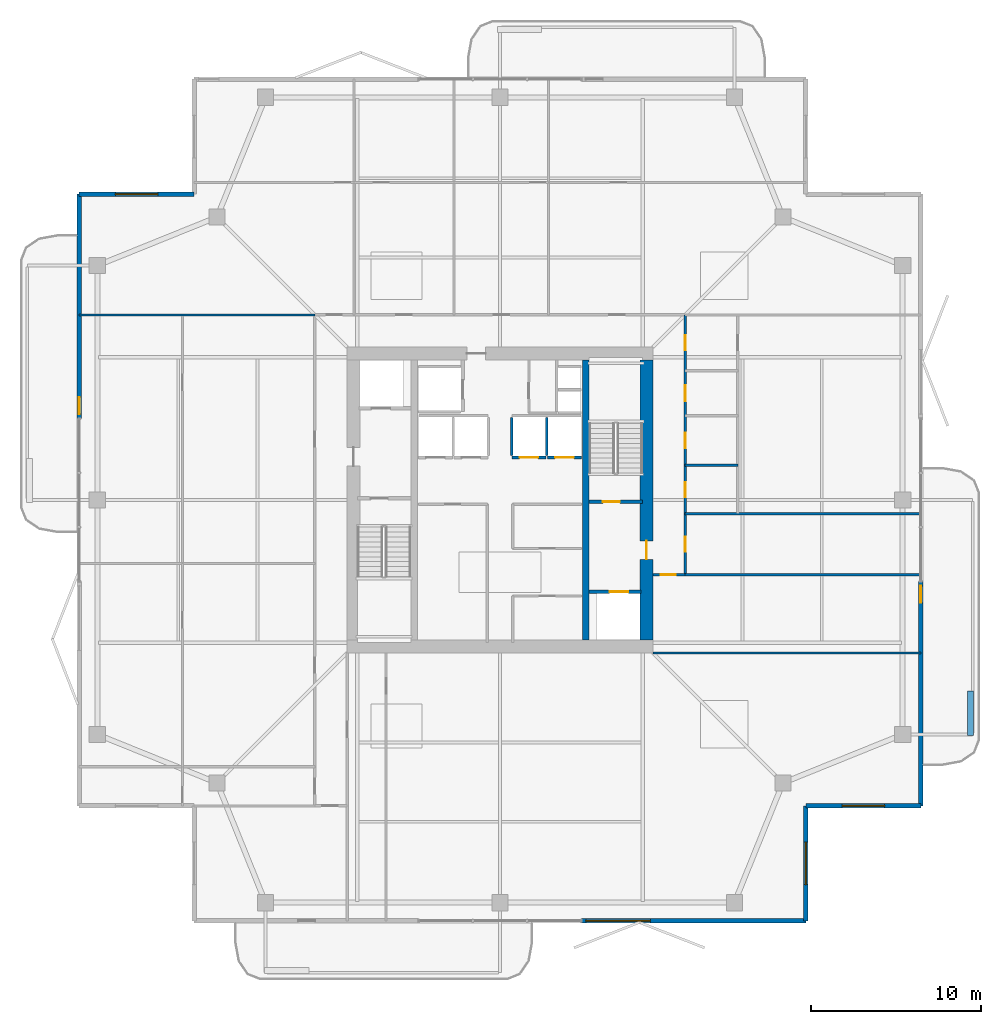
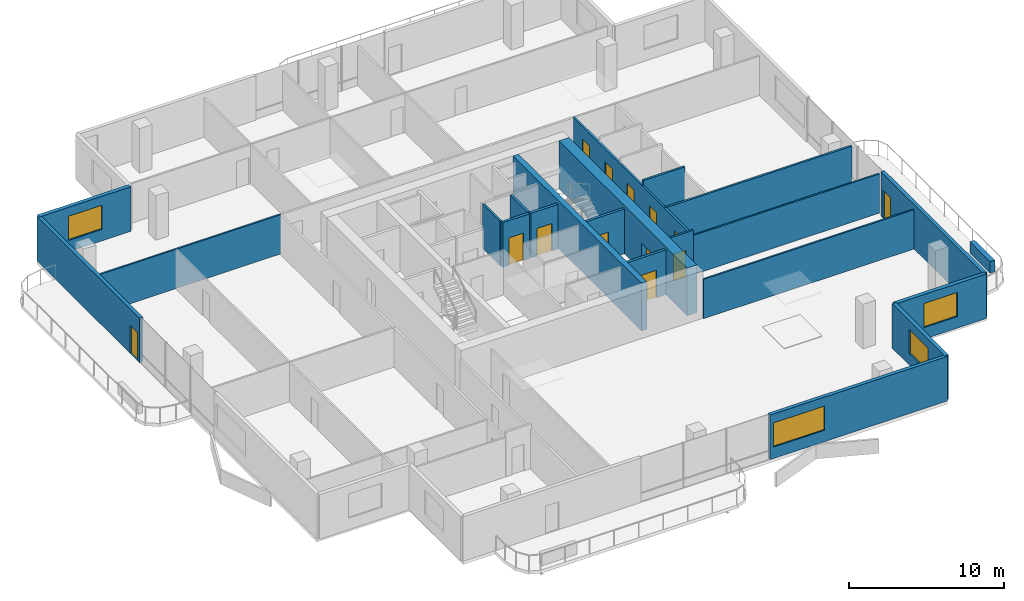
# One storey, part 19 of 25: 22 walls, 13 doors, 4 windows, 17 openings.
"""IFC4 building model written with IfcOpenShell, lengths in metres."""

import ifcopenshell
import ifcopenshell.guid

model = None  # the IFC model being written
_history = None  # IfcOwnerHistory: only IFC2X3 demands one
_inside = {}  # id of a spatial element -> (the spatial element, [elements in it])
_under = {}  # id of a project, library or spatial element -> (it, [spatial elements below it])
_declared = {}  # id of a project -> (the project, [libraries it declares])
_typed = {}  # id of a type object -> (the type object, [elements of that type])
_made_of = {}  # id of a material, layer set ... -> (it, [elements and type objects made of it])


def new_model(schema):
    """Start an empty IFC model of exactly this schema.

    Asked for "IFC4X3", IfcOpenShell would pick the latest addendum, in which some entities
    have other attributes; the version numbers below select the first issue.
    IFC2X3 requires an IfcOwnerHistory on every rooted entity: one is made here for all.
    """
    global model, _history
    if schema == "IFC4X3":
        model = ifcopenshell.file(schema_version=(4, 3, 0, 0))
    else:
        model = ifcopenshell.file(schema=schema)
    _inside.clear()
    _under.clear()
    _declared.clear()
    _typed.clear()
    _made_of.clear()
    _history = None
    if model.schema == "IFC2X3":
        org = make("IfcOrganization", Name="unknown")
        user = make(
            "IfcPersonAndOrganization",
            ThePerson=make("IfcPerson", FamilyName="unknown"),
            TheOrganization=org,
        )
        app = make(
            "IfcApplication",
            ApplicationDeveloper=org,
            Version="unknown",
            ApplicationFullName="unknown",
            ApplicationIdentifier="unknown",
        )
        _history = make(
            "IfcOwnerHistory",
            OwningUser=user,
            OwningApplication=app,
            ChangeAction="ADDED",
            CreationDate=0,
        )
    return model


def make(cls, **values):
    """One entity of the class cls with the attributes given. An attribute that is None is left unset."""
    return model.create_entity(
        cls, **{name: value for name, value in values.items() if value is not None}
    )


def rooted(cls, **values):
    """An entity with a GlobalId (a new one), such as an element, a storey or a relation."""
    return make(cls, GlobalId=ifcopenshell.guid.new(), OwnerHistory=_history, **values)


def si_unit(unit_type, name, prefix=None):
    """IfcSIUnit, for example si_unit("LENGTHUNIT", "METRE", prefix="MILLI")."""
    return make("IfcSIUnit", UnitType=unit_type, Prefix=prefix, Name=name)


def assignment(units):
    """IfcUnitAssignment: the units of a project."""
    return None if units is None else make("IfcUnitAssignment", Units=units)


def point(xyz):
    """IfcCartesianPoint."""
    return None if xyz is None else make("IfcCartesianPoint", Coordinates=xyz)


def direction(xyz):
    """IfcDirection."""
    return None if xyz is None else make("IfcDirection", DirectionRatios=xyz)


def frame(location, z_axis=None, x_axis=None):
    """IfcAxis2Placement3D, a coordinate frame: its origin and axes. An axis left out is left unset."""
    return make(
        "IfcAxis2Placement3D",
        Location=point(location),
        Axis=direction(z_axis),
        RefDirection=direction(x_axis),
    )


def frame_2d(location, x_axis=None):
    """IfcAxis2Placement2D, a coordinate frame in the plane: its origin and x axis."""
    return make(
        "IfcAxis2Placement2D", Location=point(location), RefDirection=direction(x_axis)
    )


def origin():
    """The frame at (0, 0, 0) with its axes left unset."""
    return frame((0.0, 0.0, 0.0))


def place(relative_to, where):
    """IfcLocalPlacement: puts the frame where relative to a parent placement (None: the world)."""
    return make(
        "IfcLocalPlacement", PlacementRelTo=relative_to, RelativePlacement=where
    )


def context(
    kind, dimensions, precision=None, world=None, true_north=None, identifier=None
):
    """IfcGeometricRepresentationContext, for example the 3D "Model" context."""
    return make(
        "IfcGeometricRepresentationContext",
        ContextIdentifier=identifier,
        ContextType=kind,
        CoordinateSpaceDimension=dimensions,
        Precision=precision,
        WorldCoordinateSystem=world,
        TrueNorth=true_north,
    )


def subcontext(parent, identifier, kind, view, scale=None):
    """IfcGeometricRepresentationSubContext, for example "Body" below "Model"."""
    return make(
        "IfcGeometricRepresentationSubContext",
        ContextIdentifier=identifier,
        ContextType=kind,
        ParentContext=parent,
        TargetScale=scale,
        TargetView=view,
    )


def project(units=None, contexts=None):
    """IfcProject with its units and contexts."""
    return rooted(
        "IfcProject",
        Name="project",
        RepresentationContexts=contexts,
        UnitsInContext=assignment(units),
    )


def spatial(cls, under=None, at=None, **own):
    """A site, building, storey or space (cls), placed at a placement, below another one or the project."""
    s = rooted(cls, ObjectPlacement=at, **own)
    if under is not None:
        _under.setdefault(under.id(), (under, []))[1].append(s)
    return s


def profile(cls, at=None, kind="AREA", **sizes):
    """A parametric profile (cls). Its sizes go by their IFC names, for example OverallWidth=200.0."""
    return make(cls, ProfileType=kind, Position=at, **sizes)


def rectangle(**sizes):
    """IfcRectangleProfileDef."""
    return profile("IfcRectangleProfileDef", **sizes)


def extrude(swept, where, along, depth):
    """IfcExtrudedAreaSolid: the profile swept, set in the frame where, extruded along a direction by depth."""
    return make(
        "IfcExtrudedAreaSolid",
        SweptArea=swept,
        Position=where,
        ExtrudedDirection=direction(along),
        Depth=depth,
    )


def shape(context_of_items, identifier, shape_type, items):
    """IfcShapeRepresentation: the items that make up one representation, for example the "Body"."""
    return make(
        "IfcShapeRepresentation",
        ContextOfItems=context_of_items,
        RepresentationIdentifier=identifier,
        RepresentationType=shape_type,
        Items=items,
    )


def material(Name=None, Category=None):
    """IfcMaterial."""
    return make("IfcMaterial", Name=Name, Category=Category)


def layer(
    of_material, thickness, ventilated=None, Name=None, Category=None, Priority=None
):
    """IfcMaterialLayer: one layer of a wall or slab, of a material (None: an air gap)."""
    return make(
        "IfcMaterialLayer",
        Material=of_material,
        LayerThickness=thickness,
        IsVentilated=ventilated,
        Name=Name,
        Category=Category,
        Priority=Priority,
    )


def layer_set(layers, Name=None):
    """IfcMaterialLayerSet."""
    return make("IfcMaterialLayerSet", MaterialLayers=layers, LayerSetName=Name)


def made_of(thing, what):
    """Note that an element or type object is made of a material, layer set ...; save() writes the relation."""
    if what is not None:
        _made_of.setdefault(what.id(), (what, []))[1].append(thing)
    return thing


def type_object(cls, material=None, **own):
    """A type object (cls), such as IfcWallType, which elements share."""
    return made_of(rooted(cls, **own), material)


def element(
    cls,
    number,
    at=None,
    inside=None,
    cuts=None,
    type_object=None,
    material=None,
    context=None,
    identifier="Body",
    shape_type=None,
    held_by="IfcProductDefinitionShape",
    body=None,
    shapes=None,
    **own,
):
    """One element of the class cls, such as IfcWall. Its Tag is "e" and its number.

    at: its placement. inside: the storey or other place that contains it. cuts: it is an
    opening in that element (IfcRelVoidsElement). A single representation is given by context,
    identifier, shape_type and body (its items); several are given by shapes. held_by: the class
    of the entity that holds the representations. save() writes the other relations.
    """
    e = rooted(cls, Tag="e%d" % number, ObjectPlacement=at, **own)
    if body is not None:
        shapes = [shape(context, identifier, shape_type, body)]
    if shapes is not None:
        e.Representation = make(held_by, Representations=shapes)
    if inside is not None:
        _inside.setdefault(inside.id(), (inside, []))[1].append(e)
    if cuts is not None:
        rooted(
            "IfcRelVoidsElement", RelatingBuildingElement=cuts, RelatedOpeningElement=e
        )
    if type_object is not None:
        _typed.setdefault(type_object.id(), (type_object, []))[1].append(e)
    return made_of(e, material)


def fill(opening, filler):
    """IfcRelFillsElement: the door or window that sits in an opening."""
    return rooted(
        "IfcRelFillsElement",
        RelatingOpeningElement=opening,
        RelatedBuildingElement=filler,
    )


def aggregate(whole, parts):
    """IfcRelAggregates: a whole, such as a stair, and the parts it consists of."""
    return rooted("IfcRelAggregates", RelatingObject=whole, RelatedObjects=parts)


def save(model, path):
    """Write the relations noted so far, then the file.

    IfcRelAggregates (storeys below a building ...), IfcRelContainedInSpatialStructure (elements
    in a storey), IfcRelDefinesByType, IfcRelAssociatesMaterial and IfcRelDeclares: one each for
    every whole, place, type object, material and project.
    """
    for whole, parts in _under.values():
        aggregate(whole, parts)
    for where, things in _inside.values():
        rooted(
            "IfcRelContainedInSpatialStructure",
            RelatedElements=things,
            RelatingStructure=where,
        )
    for kind, things in _typed.values():
        rooted("IfcRelDefinesByType", RelatedObjects=things, RelatingType=kind)
    for what, things in _made_of.values():
        rooted("IfcRelAssociatesMaterial", RelatedObjects=things, RelatingMaterial=what)
    for by, libraries in _declared.values():
        rooted("IfcRelDeclares", RelatingContext=by, RelatedDefinitions=libraries)
    model.write(path)


model = new_model("IFC4")

# Units and contexts
model_context = context("Model", 3, precision=1e-05, world=origin(), true_north=direction((0.0, 1.0)))
body_context = subcontext(model_context, "Body", "Model", "MODEL_VIEW")
ifc_project = project(units=[si_unit("LENGTHUNIT", "METRE"), si_unit("AREAUNIT", "SQUARE_METRE"), si_unit("VOLUMEUNIT", "CUBIC_METRE"), si_unit("PLANEANGLEUNIT", "RADIAN"), si_unit("MASSUNIT", "GRAM", prefix="KILO")], contexts=[model_context])

# Site, building, storey
site_placement = place(None, origin())
site = spatial("IfcSite", under=ifc_project, at=site_placement, CompositionType="ELEMENT")
building_placement = place(site_placement, origin())
building = spatial("IfcBuilding", under=site, at=building_placement, Name="Belovzor Exchange Tower", CompositionType="ELEMENT")
storey_placement = place(building_placement, frame((0.0, 0.0, 254.10009765625)))
storey = spatial("IfcBuildingStorey", under=building, at=storey_placement, Name="L63", CompositionType="ELEMENT", Elevation=254.10009765625)

# Walls
ifc_material_1 = material(Name="Acoustic Plasterboard on Galvanised Studs", Category="gypsum")
ifc_layer_1 = layer(ifc_material_1, 0.1201171875)
ifc_layer_set_1 = layer_set([ifc_layer_1], Name="Acoustic Plasterboard on Galvanised Studs")
wall_type_1 = type_object("IfcWallType", Name="Acoustic Double-Stud Partition Wall 120", PredefinedType="PARTITIONING", material=ifc_layer_set_1)
wall_1_placement = place(storey_placement, frame((37.800048828125, 19.800048828125, 0.0), z_axis=(0.0, 0.0, 1.0), x_axis=(1.0, 0.0, 0.0)))
element("IfcWall", 1, at=wall_1_placement, inside=storey, type_object=wall_type_1, Name="W-P120 Partition Wall W-L63-ESS", PredefinedType="PARTITIONING", context=body_context, shape_type="SweptSolid", body=[
    extrude(rectangle(XDim=15.77001953125, YDim=0.1201171875, at=frame_2d((7.885009765625, 0.0))), origin(), (0.0, 0.0, 1.0), 3.0849609375),
])
wall_2_placement = place(storey_placement, frame((39.699951171875, 24.39990234375, 0.0), z_axis=(0.0, 0.0, 1.0), x_axis=(1.0, 0.0, 0.0)))
element("IfcWall", 2, at=wall_2_placement, inside=storey, type_object=wall_type_1, Name="W-P120 Partition Wall W-L63-ESN", PredefinedType="PARTITIONING", context=body_context, shape_type="SweptSolid", body=[
    extrude(rectangle(XDim=13.8701171875, YDim=0.1201171875, at=frame_2d((6.93505859375, 0.0))), origin(), (0.0, 0.0, 1.0), 3.0849609375),
])
wall_3_placement = place(storey_placement, frame((4.030029296875, 39.699951171875, 0.0), z_axis=(0.0, 0.0, 1.0), x_axis=(1.0, 0.0, 0.0)))
element("IfcWall", 3, at=wall_3_placement, inside=storey, type_object=wall_type_1, Name="W-P120 Partition Wall W-L63-END-NW", PredefinedType="PARTITIONING", context=body_context, shape_type="SweptSolid", body=[
    extrude(rectangle(XDim=13.869873046875, YDim=0.1201171875, at=frame_2d((6.93505859375, 0.0))), origin(), (0.0, 0.0, 1.0), 3.0849609375),
])

# Wall, opening, door
ifc_material_2 = material(Name="Fire-Rated Gypsum Block and Mineral Wool", Category="gypsum")
ifc_layer_2 = layer(ifc_material_2, 0.14990234375)
ifc_layer_set_2 = layer_set([ifc_layer_2], Name="Fire-Rated Gypsum Block and Mineral Wool")
wall_type_2 = type_object("IfcWallType", Name="Fire-Rated Gypsum Block Corridor Wall 150", PredefinedType="PARTITIONING", material=ifc_layer_set_2)
wall_4_placement = place(storey_placement, frame((37.800048828125, 24.39990234375, 0.0), z_axis=(0.0, 0.0, 1.0), x_axis=(1.0, 0.0, 0.0)))
wall_4 = element("IfcWall", 4, at=wall_4_placement, inside=storey, type_object=wall_type_2, Name="W-P150 Partition Wall W-L63-CE-END", PredefinedType="PARTITIONING", context=body_context, shape_type="SweptSolid", body=[
    extrude(rectangle(XDim=1.89990234375, YDim=0.14990234375, at=frame_2d((0.949951171875, 0.0))), origin(), (0.0, 0.0, 1.0), 3.5),
])
opening_1_placement = place(wall_4_placement, frame((0.449951171875, 0.0, 0.0)))
opening_1 = element("IfcOpeningElement", 5, at=opening_1_placement, cuts=wall_4, Name="Opening D-FD60-090", PredefinedType="OPENING", context=body_context, shape_type="SweptSolid", body=[
    extrude(rectangle(XDim=0.89990234375, YDim=2.10009765625, at=frame_2d((0.449951171875, 1.050048828125))), frame((0.0, 0.0849609375, 0.0), z_axis=(0.0, -1.0, 0.0), x_axis=(1.0, 0.0, 0.0)), (0.0, 0.0, 1.0), 0.169921875),
])
ifc_material_3 = material(Name="Acoustic Timber Fire Leaf", Category="wood")
door_type_1 = type_object("IfcDoorType", Name="Core Service & Restroom Fire Door 900x2100", OperationType="NOTDEFINED", PredefinedType="DOOR", material=ifc_material_3)
door_1_placement = place(opening_1_placement, origin())
door_1 = element("IfcDoor", 6, at=door_1_placement, inside=storey, type_object=door_type_1, Name="D-FD60-090 Core Service & Restroom Fire Door 900x2100", OperationType="SINGLE_SWING_LEFT", OverallHeight=2.10009765625, OverallWidth=0.89990234375, PredefinedType="DOOR", context=body_context, shape_type="SweptSolid", body=[
    extrude(rectangle(XDim=0.89990234375, YDim=2.10009765625, at=frame_2d((0.449951171875, 1.050048828125))), frame((0.0, 0.02490234375, 0.0), z_axis=(0.0, -1.0, 0.0), x_axis=(1.0, 0.0, 0.0)), (0.0, 0.0, 1.0), 0.050048828125),
])
fill(opening_1, door_1)

# Walls
wall_5_placement = place(storey_placement, frame((39.699951171875, 28.0, 0.0), z_axis=(0.0, 0.0, 1.0), x_axis=(1.0, 0.0, 0.0)))
element("IfcWall", 7, at=wall_5_placement, inside=storey, type_object=wall_type_2, Name="W-P150 Partition Wall W-L63-EWC-S", PredefinedType="PARTITIONING", context=body_context, shape_type="SweptSolid", body=[
    extrude(rectangle(XDim=13.8701171875, YDim=0.14990234375, at=frame_2d((6.93505859375, 0.0))), origin(), (0.0, 0.0, 1.0), 3.0849609375),
])
wall_6_placement = place(storey_placement, frame((39.699951171875, 30.85009765625, 0.0), z_axis=(0.0, 0.0, 1.0), x_axis=(1.0, 0.0, 0.0)))
element("IfcWall", 8, at=wall_6_placement, inside=storey, type_object=wall_type_2, Name="W-P150 Partition Wall W-L63-EWC-D1", PredefinedType="PARTITIONING", context=body_context, shape_type="SweptSolid", body=[
    extrude(rectangle(XDim=3.10009765625, YDim=0.14990234375, at=frame_2d((1.550048828125, 0.0))), origin(), (0.0, 0.0, 1.0), 3.5),
])

# Wall, openings, doors
wall_7_placement = place(storey_placement, frame((39.699951171875, 24.39990234375, 0.0), z_axis=(0.0, 0.0, 1.0), x_axis=(0.0, 1.0, 0.0)))
wall_7 = element("IfcWall", 9, at=wall_7_placement, inside=storey, type_object=wall_type_2, Name="W-P150 Partition Wall W-L63-CE", PredefinedType="PARTITIONING", context=body_context, shape_type="SweptSolid", body=[
    extrude(rectangle(XDim=15.300048828125, YDim=0.14990234375, at=frame_2d((7.64990234375, 0.0))), origin(), (0.0, 0.0, 1.0), 3.0849609375),
])
opening_2_placement = place(wall_7_placement, frame((1.35009765625, 0.0, 0.0)))
opening_2 = element("IfcOpeningElement", 10, at=opening_2_placement, cuts=wall_7, Name="Opening D-INT-090", PredefinedType="OPENING", context=body_context, shape_type="SweptSolid", body=[
    extrude(rectangle(XDim=0.89990234375, YDim=2.10009765625, at=frame_2d((0.449951171875, 1.050048828125))), frame((0.0, 0.0849609375, 0.0), z_axis=(0.0, -1.0, 0.0), x_axis=(1.0, 0.0, 0.0)), (0.0, 0.0, 1.0), 0.169921875),
])
opening_3_placement = place(wall_7_placement, frame((4.550048828125, 0.0, 0.0)))
opening_3 = element("IfcOpeningElement", 11, at=opening_3_placement, cuts=wall_7, Name="Opening D-FD60-090", PredefinedType="OPENING", context=body_context, shape_type="SweptSolid", body=[
    extrude(rectangle(XDim=0.89990234375, YDim=2.10009765625, at=frame_2d((0.449951171875, 1.050048828125))), frame((0.0, 0.0849609375, 0.0), z_axis=(0.0, -1.0, 0.0), x_axis=(1.0, 0.0, 0.0)), (0.0, 0.0, 1.0), 0.169921875),
])
opening_4_placement = place(wall_7_placement, frame((7.449951171875, 0.0, 0.0)))
opening_4 = element("IfcOpeningElement", 12, at=opening_4_placement, cuts=wall_7, Name="Opening D-FD60-090", PredefinedType="OPENING", context=body_context, shape_type="SweptSolid", body=[
    extrude(rectangle(XDim=0.89990234375, YDim=2.10009765625, at=frame_2d((0.449951171875, 1.050048828125))), frame((0.0, 0.0849609375, 0.0), z_axis=(0.0, -1.0, 0.0), x_axis=(1.0, 0.0, 0.0)), (0.0, 0.0, 1.0), 0.169921875),
])
opening_5_placement = place(wall_7_placement, frame((10.199951171875, 0.0, 0.0)))
opening_5 = element("IfcOpeningElement", 13, at=opening_5_placement, cuts=wall_7, Name="Opening D-FD60-095", PredefinedType="OPENING", context=body_context, shape_type="SweptSolid", body=[
    extrude(rectangle(XDim=0.949951171875, YDim=2.10009765625, at=frame_2d((0.47509765625, 1.050048828125))), frame((0.0, 0.0849609375, 0.0), z_axis=(0.0, -1.0, 0.0), x_axis=(1.0, 0.0, 0.0)), (0.0, 0.0, 1.0), 0.169921875),
])
opening_6_placement = place(wall_7_placement, frame((13.199951171875, 0.0, 0.0)))
opening_6 = element("IfcOpeningElement", 14, at=opening_6_placement, cuts=wall_7, Name="Opening D-FD60-090", PredefinedType="OPENING", context=body_context, shape_type="SweptSolid", body=[
    extrude(rectangle(XDim=0.89990234375, YDim=2.10009765625, at=frame_2d((0.449951171875, 1.050048828125))), frame((0.0, 0.0849609375, 0.0), z_axis=(0.0, -1.0, 0.0), x_axis=(1.0, 0.0, 0.0)), (0.0, 0.0, 1.0), 0.169921875),
])
ifc_material_4 = material(Name="Moisture-Resistant Timber Fire Leaf", Category="wood")
door_type_2 = type_object("IfcDoorType", Name="Accessible Restroom Wide Fire Door 950x2100", OperationType="NOTDEFINED", PredefinedType="DOOR", material=ifc_material_4)
door_2_placement = place(opening_5_placement, origin())
door_2 = element("IfcDoor", 15, at=door_2_placement, inside=storey, type_object=door_type_2, Name="D-FD60-095 Accessible Restroom Wide Fire Door 950x2100", OperationType="SINGLE_SWING_LEFT", OverallHeight=2.10009765625, OverallWidth=0.949951171875, PredefinedType="DOOR", context=body_context, shape_type="SweptSolid", body=[
    extrude(rectangle(XDim=0.949951171875, YDim=2.10009765625, at=frame_2d((0.47509765625, 1.050048828125))), frame((0.0, 0.02490234375, 0.0), z_axis=(0.0, -1.0, 0.0), x_axis=(1.0, 0.0, 0.0)), (0.0, 0.0, 1.0), 0.050048828125),
])
fill(opening_5, door_2)
door_3_placement = place(opening_3_placement, origin())
door_3 = element("IfcDoor", 16, at=door_3_placement, inside=storey, type_object=door_type_1, Name="D-FD60-090 Core Service & Restroom Fire Door 900x2100", OperationType="SINGLE_SWING_LEFT", OverallHeight=2.10009765625, OverallWidth=0.89990234375, PredefinedType="DOOR", context=body_context, shape_type="SweptSolid", body=[
    extrude(rectangle(XDim=0.89990234375, YDim=2.10009765625, at=frame_2d((0.449951171875, 1.050048828125))), frame((0.0, 0.02490234375, 0.0), z_axis=(0.0, -1.0, 0.0), x_axis=(1.0, 0.0, 0.0)), (0.0, 0.0, 1.0), 0.050048828125),
])
fill(opening_3, door_3)
door_4_placement = place(opening_4_placement, origin())
door_4 = element("IfcDoor", 17, at=door_4_placement, inside=storey, type_object=door_type_1, Name="D-FD60-090 Core Service & Restroom Fire Door 900x2100", OperationType="SINGLE_SWING_RIGHT", OverallHeight=2.10009765625, OverallWidth=0.89990234375, PredefinedType="DOOR", context=body_context, shape_type="SweptSolid", body=[
    extrude(rectangle(XDim=0.89990234375, YDim=2.10009765625, at=frame_2d((0.449951171875, 1.050048828125))), frame((0.0, 0.02490234375, 0.0), z_axis=(0.0, -1.0, 0.0), x_axis=(1.0, 0.0, 0.0)), (0.0, 0.0, 1.0), 0.050048828125),
])
fill(opening_4, door_4)
door_5_placement = place(opening_6_placement, origin())
door_5 = element("IfcDoor", 18, at=door_5_placement, inside=storey, type_object=door_type_1, Name="D-FD60-090 Core Service & Restroom Fire Door 900x2100", OperationType="SINGLE_SWING_RIGHT", OverallHeight=2.10009765625, OverallWidth=0.89990234375, PredefinedType="DOOR", context=body_context, shape_type="SweptSolid", body=[
    extrude(rectangle(XDim=0.89990234375, YDim=2.10009765625, at=frame_2d((0.449951171875, 1.050048828125))), frame((0.0, 0.02490234375, 0.0), z_axis=(0.0, -1.0, 0.0), x_axis=(1.0, 0.0, 0.0)), (0.0, 0.0, 1.0), 0.050048828125),
])
fill(opening_6, door_5)
ifc_material_5 = material(Name="Veneered Hardwood Acoustic Leaf", Category="wood")
door_type_3 = type_object("IfcDoorType", Name="Trading Suite Acoustic Single Door 900x2100", OperationType="NOTDEFINED", PredefinedType="DOOR", material=ifc_material_5)
door_6_placement = place(opening_2_placement, origin())
door_6 = element("IfcDoor", 19, at=door_6_placement, inside=storey, type_object=door_type_3, Name="D-INT-090 Trading Suite Acoustic Single Door 900x2100", OperationType="SINGLE_SWING_RIGHT", OverallHeight=2.10009765625, OverallWidth=0.89990234375, PredefinedType="DOOR", context=body_context, shape_type="SweptSolid", body=[
    extrude(rectangle(XDim=0.89990234375, YDim=2.10009765625, at=frame_2d((0.449951171875, 1.050048828125))), frame((0.0, 0.02490234375, 0.0), z_axis=(0.0, -1.0, 0.0), x_axis=(1.0, 0.0, 0.0)), (0.0, 0.0, 1.0), 0.050048828125),
])
fill(opening_2, door_6)

# Wall, opening, window
ifc_material_6 = material(Name="Precast concrete C40/50", Category="concrete")
ifc_layer_3 = layer(ifc_material_6, 0.280029296875)
ifc_layer_set_3 = layer_set([ifc_layer_3], Name="Precast concrete C40/50")
wall_type_3 = type_object("IfcWallType", Name="Precast Concrete Notched Corner Frame Wall 280", PredefinedType="SOLIDWALL", material=ifc_layer_set_3)
wall_8_placement = place(storey_placement, frame((4.030029296875, 46.800048828125, 0.0), z_axis=(0.0, 0.0, 1.0), x_axis=(1.0, 0.0, 0.0)))
wall_8 = element("IfcWall", 20, at=wall_8_placement, inside=storey, type_object=wall_type_3, Name="W-CRN280 Precast Concrete Notched Corner Frame Wall 280 L63", PredefinedType="SOLIDWALL", context=body_context, shape_type="SweptSolid", body=[
    extrude(rectangle(XDim=6.77001953125, YDim=0.280029296875, at=frame_2d((3.385009765625, 0.0))), origin(), (0.0, 0.0, 1.0), 3.5),
])
opening_7_placement = place(wall_8_placement, frame((2.135009765625, 0.0, 0.89990234375)))
opening_7 = element("IfcOpeningElement", 21, at=opening_7_placement, cuts=wall_8, Name="Opening WN-CRN250", PredefinedType="OPENING", context=body_context, shape_type="SweptSolid", body=[
    extrude(rectangle(XDim=2.5, YDim=1.89990234375, at=frame_2d((1.25, 0.949951171875))), frame((0.0, 0.14990234375, 0.0), z_axis=(0.0, -1.0, 0.0), x_axis=(1.0, 0.0, 0.0)), (0.0, 0.0, 1.0), 0.300048828125),
])
ifc_material_7 = material(Name="Thermally Broken Aluminium and Triple Glazing", Category="aluminium")
window_type_1 = type_object("IfcWindowType", Name="Streamline Moderne Corner Wrap Ribbon Window 2500x1900", PartitioningType="SINGLE_PANEL", PredefinedType="WINDOW", material=ifc_material_7)
window_1_placement = place(opening_7_placement, origin())
window_1 = element("IfcWindow", 22, at=window_1_placement, inside=storey, type_object=window_type_1, Name="WN-CRN250 Streamline Moderne Corner Wrap Ribbon Window 2500x1900", OverallHeight=1.89990234375, OverallWidth=2.5, PartitioningType="SINGLE_PANEL", PredefinedType="WINDOW", context=body_context, shape_type="SweptSolid", body=[
    extrude(rectangle(XDim=2.5, YDim=1.89990234375, at=frame_2d((1.25, 0.949951171875))), frame((0.0, 0.030029296875, 0.0), z_axis=(0.0, -1.0, 0.0), x_axis=(1.0, 0.0, 0.0)), (0.0, 0.0, 1.0), 0.06005859375),
])
fill(opening_7, window_1)

wall_9_placement = place(storey_placement, frame((53.570068359375, 10.800048828125, 0.0), z_axis=(0.0, 0.0, 1.0), x_axis=(-1.0, 0.0, 0.0)))
wall_9 = element("IfcWall", 23, at=wall_9_placement, inside=storey, type_object=wall_type_3, Name="W-CRN280 Precast Concrete Notched Corner Frame Wall 280 L63", PredefinedType="SOLIDWALL", context=body_context, shape_type="SweptSolid", body=[
    extrude(rectangle(XDim=6.77001953125, YDim=0.280029296875, at=frame_2d((3.385009765625, 0.0))), origin(), (0.0, 0.0, 1.0), 3.5),
])
opening_8_placement = place(wall_9_placement, frame((2.135009765625, 0.0, 0.89990234375)))
opening_8 = element("IfcOpeningElement", 24, at=opening_8_placement, cuts=wall_9, Name="Opening WN-CRN250", PredefinedType="OPENING", context=body_context, shape_type="SweptSolid", body=[
    extrude(rectangle(XDim=2.5, YDim=1.89990234375, at=frame_2d((1.25, 0.949951171875))), frame((0.0, 0.14990234375, 0.0), z_axis=(0.0, -1.0, 0.0), x_axis=(1.0, 0.0, 0.0)), (0.0, 0.0, 1.0), 0.300048828125),
])
window_2_placement = place(opening_8_placement, origin())
window_2 = element("IfcWindow", 25, at=window_2_placement, inside=storey, type_object=window_type_1, Name="WN-CRN250 Streamline Moderne Corner Wrap Ribbon Window 2500x1900", OverallHeight=1.89990234375, OverallWidth=2.5, PartitioningType="SINGLE_PANEL", PredefinedType="WINDOW", context=body_context, shape_type="SweptSolid", body=[
    extrude(rectangle(XDim=2.5, YDim=1.89990234375, at=frame_2d((1.25, 0.949951171875))), frame((0.0, 0.030029296875, 0.0), z_axis=(0.0, -1.0, 0.0), x_axis=(1.0, 0.0, 0.0)), (0.0, 0.0, 1.0), 0.06005859375),
])
fill(opening_8, window_2)

wall_10_placement = place(storey_placement, frame((46.800048828125, 10.800048828125, 0.0), z_axis=(0.0, 0.0, 1.0), x_axis=(0.0, -1.0, 0.0)))
wall_10 = element("IfcWall", 26, at=wall_10_placement, inside=storey, type_object=wall_type_3, Name="W-CRN280 Precast Concrete Notched Corner Frame Wall 280 L63", PredefinedType="SOLIDWALL", context=body_context, shape_type="SweptSolid", body=[
    extrude(rectangle(XDim=6.77001953125, YDim=0.280029296875, at=frame_2d((3.385009765625, 0.0))), origin(), (0.0, 0.0, 1.0), 3.5),
])
opening_9_placement = place(wall_10_placement, frame((2.135009765625, 0.0, 0.89990234375)))
opening_9 = element("IfcOpeningElement", 27, at=opening_9_placement, cuts=wall_10, Name="Opening WN-CRN250", PredefinedType="OPENING", context=body_context, shape_type="SweptSolid", body=[
    extrude(rectangle(XDim=2.5, YDim=1.89990234375, at=frame_2d((1.25, 0.949951171875))), frame((0.0, 0.14990234375, 0.0), z_axis=(0.0, -1.0, 0.0), x_axis=(1.0, 0.0, 0.0)), (0.0, 0.0, 1.0), 0.300048828125),
])
window_3_placement = place(opening_9_placement, origin())
window_3 = element("IfcWindow", 28, at=window_3_placement, inside=storey, type_object=window_type_1, Name="WN-CRN250 Streamline Moderne Corner Wrap Ribbon Window 2500x1900", OverallHeight=1.89990234375, OverallWidth=2.5, PartitioningType="SINGLE_PANEL", PredefinedType="WINDOW", context=body_context, shape_type="SweptSolid", body=[
    extrude(rectangle(XDim=2.5, YDim=1.89990234375, at=frame_2d((1.25, 0.949951171875))), frame((0.0, 0.030029296875, 0.0), z_axis=(0.0, -1.0, 0.0), x_axis=(1.0, 0.0, 0.0)), (0.0, 0.0, 1.0), 0.06005859375),
])
fill(opening_9, window_3)

ifc_material_8 = material(Name="Precast concrete C40/50", Category="concrete")
ifc_layer_4 = layer(ifc_material_8, 0.260009765625)
ifc_layer_set_4 = layer_set([ifc_layer_4], Name="Precast concrete C40/50")
wall_type_4 = type_object("IfcWallType", Name="Precast Concrete Perimeter Loggia Frame Wall 260", PredefinedType="SOLIDWALL", material=ifc_layer_set_4)
wall_11_placement = place(storey_placement, frame((46.800048828125, 4.030029296875, 0.0), z_axis=(0.0, 0.0, 1.0), x_axis=(-1.0, 0.0, 0.0)))
wall_11 = element("IfcWall", 29, at=wall_11_placement, inside=storey, type_object=wall_type_4, Name="W-EXT260 Precast Concrete Perimeter Loggia Frame Wall 260 L63", PredefinedType="SOLIDWALL", context=body_context, shape_type="SweptSolid", body=[
    extrude(rectangle(XDim=13.199951171875, YDim=0.260009765625, at=frame_2d((6.60009765625, 0.0))), origin(), (0.0, 0.0, 1.0), 3.5),
])
opening_10_placement = place(wall_11_placement, frame((9.14990234375, 0.0, 0.89990234375)))
opening_10 = element("IfcOpeningElement", 30, at=opening_10_placement, cuts=wall_11, Name="Opening WN-RIB380", PredefinedType="OPENING", context=body_context, shape_type="SweptSolid", body=[
    extrude(rectangle(XDim=3.800048828125, YDim=1.89990234375, at=frame_2d((1.89990234375, 0.949951171875))), frame((0.0, 0.139892578125, 0.0), z_axis=(0.0, -1.0, 0.0), x_axis=(1.0, 0.0, 0.0)), (0.0, 0.0, 1.0), 0.280029296875),
])
ifc_material_9 = material(Name="Thermally Broken Aluminium and Triple Glazing", Category="aluminium")
window_type_2 = type_object("IfcWindowType", Name="Streamline Moderne Horizontal Ribbon Window 3800x1900", PartitioningType="SINGLE_PANEL", PredefinedType="WINDOW", material=ifc_material_9)
window_4_placement = place(opening_10_placement, origin())
window_4 = element("IfcWindow", 31, at=window_4_placement, inside=storey, type_object=window_type_2, Name="WN-RIB380 Streamline Moderne Horizontal Ribbon Window 3800x1900", OverallHeight=1.89990234375, OverallWidth=3.800048828125, PartitioningType="SINGLE_PANEL", PredefinedType="WINDOW", context=body_context, shape_type="SweptSolid", body=[
    extrude(rectangle(XDim=3.800048828125, YDim=1.89990234375, at=frame_2d((1.89990234375, 0.949951171875))), frame((0.0, 0.030029296875, 0.0), z_axis=(0.0, -1.0, 0.0), x_axis=(1.0, 0.0, 0.0)), (0.0, 0.0, 1.0), 0.06005859375),
])
fill(opening_10, window_4)

# Wall, opening, door
wall_12_placement = place(storey_placement, frame((4.030029296875, 33.60009765625, 0.0), z_axis=(0.0, 0.0, 1.0), x_axis=(0.0, 1.0, 0.0)))
wall_12 = element("IfcWall", 32, at=wall_12_placement, inside=storey, type_object=wall_type_4, Name="W-EXT260 Precast Concrete Perimeter Loggia Frame Wall 260 L63", PredefinedType="SOLIDWALL", context=body_context, shape_type="SweptSolid", body=[
    extrude(rectangle(XDim=13.199951171875, YDim=0.260009765625, at=frame_2d((6.60009765625, 0.0))), origin(), (0.0, 0.0, 1.0), 3.5),
])
opening_11_placement = place(wall_12_placement, frame((0.25, 0.0, 0.0)))
opening_11 = element("IfcOpeningElement", 33, at=opening_11_placement, cuts=wall_12, Name="Opening D-BAL100", PredefinedType="OPENING", context=body_context, shape_type="SweptSolid", body=[
    extrude(rectangle(XDim=1.0, YDim=2.199951171875, at=frame_2d((0.5, 1.10009765625))), frame((0.0, 0.139892578125, 0.0), z_axis=(0.0, -1.0, 0.0), x_axis=(1.0, 0.0, 0.0)), (0.0, 0.0, 1.0), 0.280029296875),
])
ifc_material_10 = material(Name="Thermally Broken Anodised Aluminium and Laminated Glass", Category="aluminium")
door_type_4 = type_object("IfcDoorType", Name="Planted Loggia Terrace Glazed Door 1000x2200", OperationType="SINGLE_SWING_LEFT", PredefinedType="DOOR", material=ifc_material_10)
door_7_placement = place(opening_11_placement, origin())
door_7 = element("IfcDoor", 34, at=door_7_placement, inside=storey, type_object=door_type_4, Name="D-BAL100 Balcony Terrace Door L63 W", OperationType="SINGLE_SWING_RIGHT", OverallHeight=2.199951171875, OverallWidth=1.0, PredefinedType="DOOR", context=body_context, shape_type="SweptSolid", body=[
    extrude(rectangle(XDim=1.0, YDim=2.199951171875, at=frame_2d((0.5, 1.10009765625))), frame((0.0, 0.02490234375, 0.0), z_axis=(0.0, -1.0, 0.0), x_axis=(1.0, 0.0, 0.0)), (0.0, 0.0, 1.0), 0.050048828125),
])
fill(opening_11, door_7)

wall_13_placement = place(storey_placement, frame((53.570068359375, 24.0, 0.0), z_axis=(0.0, 0.0, 1.0), x_axis=(0.0, -1.0, 0.0)))
wall_13 = element("IfcWall", 35, at=wall_13_placement, inside=storey, type_object=wall_type_4, Name="W-EXT260 Precast Concrete Perimeter Loggia Frame Wall 260 L63", PredefinedType="SOLIDWALL", context=body_context, shape_type="SweptSolid", body=[
    extrude(rectangle(XDim=13.199951171875, YDim=0.260009765625, at=frame_2d((6.60009765625, 0.0))), origin(), (0.0, 0.0, 1.0), 3.5),
])
opening_12_placement = place(wall_13_placement, frame((0.25, 0.0, 0.0)))
opening_12 = element("IfcOpeningElement", 36, at=opening_12_placement, cuts=wall_13, Name="Opening D-BAL100", PredefinedType="OPENING", context=body_context, shape_type="SweptSolid", body=[
    extrude(rectangle(XDim=1.0, YDim=2.199951171875, at=frame_2d((0.5, 1.10009765625))), frame((0.0, 0.139892578125, 0.0), z_axis=(0.0, -1.0, 0.0), x_axis=(1.0, 0.0, 0.0)), (0.0, 0.0, 1.0), 0.280029296875),
])
door_8_placement = place(opening_12_placement, origin())
door_8 = element("IfcDoor", 37, at=door_8_placement, inside=storey, type_object=door_type_4, Name="D-BAL100 Balcony Terrace Door L63 E", OperationType="SINGLE_SWING_LEFT", OverallHeight=2.199951171875, OverallWidth=1.0, PredefinedType="DOOR", context=body_context, shape_type="SweptSolid", body=[
    extrude(rectangle(XDim=1.0, YDim=2.199951171875, at=frame_2d((0.5, 1.10009765625))), frame((0.0, 0.02490234375, 0.0), z_axis=(0.0, -1.0, 0.0), x_axis=(1.0, 0.0, 0.0)), (0.0, 0.0, 1.0), 0.050048828125),
])
fill(opening_12, door_8)

# Walls
ifc_material_11 = material(Name="Precast concrete C40/50", Category="concrete")
ifc_layer_5 = layer(ifc_material_11, 0.35009765625)
ifc_layer_set_5 = layer_set([ifc_layer_5], Name="Precast concrete C40/50")
wall_type_5 = type_object("IfcWallType", Name="Precast Concrete Structural Tree Planter Trough 350", PredefinedType="PARAPET", material=ifc_layer_set_5)
wall_14_placement = place(storey_placement, frame((56.5, 14.949951171875, 0.0), z_axis=(0.0, 0.0, 1.0), x_axis=(0.0, 1.0, 0.0)))
element("IfcWall", 38, at=wall_14_placement, inside=storey, type_object=wall_type_5, Name="PT-350 Precast Concrete Structural Tree Planter Trough 350 L63", PredefinedType="PARAPET", context=body_context, shape_type="SweptSolid", body=[
    extrude(rectangle(XDim=2.60009765625, YDim=0.35009765625, at=frame_2d((1.300048828125, 0.0))), origin(), (0.0, 0.0, 1.0), 0.89990234375),
])
ifc_material_12 = material(Name="Concrete C50/60", Category="concrete")
ifc_layer_6 = layer(ifc_material_12, 0.39990234375)
ifc_layer_set_6 = layer_set([ifc_layer_6], Name="Concrete C50/60")
wall_type_6 = type_object("IfcWallType", Name="Reinforced Concrete Core Internal Web Wall 400", PredefinedType="SHEAR", material=ifc_layer_set_6)
wall_15_placement = place(storey_placement, frame((33.85009765625, 20.550048828125, 0.0), z_axis=(0.0, 0.0, 1.0), x_axis=(0.0, 1.0, 0.0)))
element("IfcWall", 39, at=wall_15_placement, inside=storey, type_object=wall_type_6, Name="CW-W040 Core Internal Web Wall L63 ER", PredefinedType="SHEAR", context=body_context, shape_type="SweptSolid", body=[
    extrude(rectangle(XDim=16.5, YDim=0.39990234375, at=frame_2d((8.25, 0.0))), origin(), (0.0, 0.0, 1.0), 3.75),
])
ifc_material_13 = material(Name="Concrete C50/60", Category="concrete")
ifc_layer_7 = layer(ifc_material_13, 0.14990234375)
ifc_layer_set_7 = layer_set([ifc_layer_7], Name="Concrete C50/60")
wall_type_7 = type_object("IfcWallType", Name="Reinforced Concrete Core Riser Shear Wall 150", PredefinedType="SHEAR", material=ifc_layer_set_7)
for number, where, z_axis, x_axis, name in (
    (40, (29.5, 31.419921875, 0.0), (0.0, 0.0, 1.0), (0.0, 1.0, 0.0), "W-C150S Core Shaft Wall W-SHD-L63-PLH-3"),
    (41, (31.550048828125, 31.419921875, 0.0), (0.0, 0.0, 1.0), (0.0, 1.0, 0.0), "W-C150S Core Shaft Wall W-SHD-L63-PLH-4"),
):
    element("IfcWall", number, at=place(storey_placement, frame(where, z_axis=z_axis, x_axis=x_axis)), inside=storey, type_object=wall_type_7, Name=name, PredefinedType="SHEAR", context=body_context, shape_type="SweptSolid", body=[
        extrude(rectangle(XDim=2.239990234375, YDim=0.14990234375, at=frame_2d((1.1201171875, 0.0))), origin(), (0.0, 0.0, 1.0), 3.5),
    ])

# Wall, opening, door
ifc_material_14 = material(Name="Concrete C50/60", Category="concrete")
ifc_layer_8 = layer(ifc_material_14, 0.199951171875)
ifc_layer_set_8 = layer_set([ifc_layer_8], Name="Concrete C50/60")
wall_type_8 = type_object("IfcWallType", Name="Reinforced Concrete Core Shaft Shear Wall 200", PredefinedType="SHEAR", material=ifc_layer_set_8)
wall_16_placement = place(storey_placement, frame((34.050048828125, 28.699951171875, 0.0), z_axis=(0.0, 0.0, 1.0), x_axis=(1.0, 0.0, 0.0)))
wall_16 = element("IfcWall", 42, at=wall_16_placement, inside=storey, type_object=wall_type_8, Name="W-C200S Core Shaft Wall W-CORE-L63-FFLE2", PredefinedType="SHEAR", context=body_context, shape_type="SweptSolid", body=[
    extrude(rectangle(XDim=3.14990234375, YDim=0.199951171875, at=frame_2d((1.574951171875, 0.0))), origin(), (0.0, 0.0, 1.0), 3.5),
])
opening_13_placement = place(wall_16_placement, frame((0.800048828125, 0.0, 0.0)))
opening_13 = element("IfcOpeningElement", 43, at=opening_13_placement, cuts=wall_16, Name="Opening D-FD90-100", PredefinedType="OPENING", context=body_context, shape_type="SweptSolid", body=[
    extrude(rectangle(XDim=1.0, YDim=2.10009765625, at=frame_2d((0.5, 1.050048828125))), frame((0.0, 0.10986328125, 0.0), z_axis=(0.0, -1.0, 0.0), x_axis=(1.0, 0.0, 0.0)), (0.0, 0.0, 1.0), 0.219970703125),
])
ifc_material_15 = material(Name="Fire-Rated Galvanised Steel Leaf", Category="steel")
door_type_5 = type_object("IfcDoorType", Name="Protected Stairwell Single Fire Door 1000x2100", OperationType="NOTDEFINED", PredefinedType="DOOR", material=ifc_material_15)
door_9_placement = place(opening_13_placement, origin())
door_9 = element("IfcDoor", 44, at=door_9_placement, inside=storey, type_object=door_type_5, Name="D-FD90-100 Protected Stairwell Single Fire Door 1000x2100", OperationType="SINGLE_SWING_LEFT", OverallHeight=2.10009765625, OverallWidth=1.0, PredefinedType="DOOR", context=body_context, shape_type="SweptSolid", body=[
    extrude(rectangle(XDim=1.0, YDim=2.10009765625, at=frame_2d((0.5, 1.050048828125))), frame((0.0, 0.02490234375, 0.0), z_axis=(0.0, -1.0, 0.0), x_axis=(1.0, 0.0, 0.0)), (0.0, 0.0, 1.0), 0.050048828125),
])
fill(opening_13, door_9)

wall_17_placement = place(storey_placement, frame((34.050048828125, 23.39990234375, 0.0), z_axis=(0.0, 0.0, 1.0), x_axis=(1.0, 0.0, 0.0)))
wall_17 = element("IfcWall", 45, at=wall_17_placement, inside=storey, type_object=wall_type_8, Name="W-C200S Core Shaft Wall W-SH-L63-FFL-02", PredefinedType="SHEAR", context=body_context, shape_type="SweptSolid", body=[
    extrude(rectangle(XDim=3.050048828125, YDim=0.199951171875, at=frame_2d((1.52490234375, 0.0))), origin(), (0.0, 0.0, 1.0), 3.5),
])
opening_14_placement = place(wall_17_placement, frame((1.199951171875, 0.0, 0.0)))
opening_14 = element("IfcOpeningElement", 46, at=opening_14_placement, cuts=wall_17, Name="Opening LD-110", PredefinedType="OPENING", context=body_context, shape_type="SweptSolid", body=[
    extrude(rectangle(XDim=1.10009765625, YDim=2.14990234375, at=frame_2d((0.550048828125, 1.074951171875))), frame((0.0, 0.10986328125, 0.0), z_axis=(0.0, -1.0, 0.0), x_axis=(1.0, 0.0, 0.0)), (0.0, 0.0, 1.0), 0.219970703125),
])
ifc_material_16 = material(Name="Stainless Steel Grade 304", Category="steel")
door_type_6 = type_object("IfcDoorType", Name="Automated Stainless Steel Lift Landing Door 1100x2150", OperationType="SLIDING_TO_RIGHT", PredefinedType="DOOR", material=ifc_material_16)
door_10_placement = place(opening_14_placement, origin())
door_10 = element("IfcDoor", 47, at=door_10_placement, inside=storey, type_object=door_type_6, Name="LD-110 Automated Stainless Steel Lift Landing Door 1100x2150", OperationType="SLIDING_TO_RIGHT", OverallHeight=2.14990234375, OverallWidth=1.10009765625, PredefinedType="DOOR", context=body_context, shape_type="SweptSolid", body=[
    extrude(rectangle(XDim=1.10009765625, YDim=2.14990234375, at=frame_2d((0.550048828125, 1.074951171875))), frame((0.0, 0.02490234375, 0.0), z_axis=(0.0, -1.0, 0.0), x_axis=(1.0, 0.0, 0.0)), (0.0, 0.0, 1.0), 0.050048828125),
])
fill(opening_14, door_10)

wall_18_placement = place(storey_placement, frame((29.5, 31.300048828125, 0.0), z_axis=(0.0, 0.0, 1.0), x_axis=(1.0, 0.0, 0.0)))
wall_18 = element("IfcWall", 48, at=wall_18_placement, inside=storey, type_object=wall_type_8, Name="W-C200S Core Shaft Wall W-SH-L63-PL-H3", PredefinedType="SHEAR", context=body_context, shape_type="SweptSolid", body=[
    extrude(rectangle(XDim=2.0, YDim=0.199951171875, at=frame_2d((1.0, 0.0))), origin(), (0.0, 0.0, 1.0), 3.5),
])
opening_15_placement = place(wall_18_placement, frame((0.449951171875, 0.0, 0.0)))
opening_15 = element("IfcOpeningElement", 49, at=opening_15_placement, cuts=wall_18, Name="Opening LD-110", PredefinedType="OPENING", context=body_context, shape_type="SweptSolid", body=[
    extrude(rectangle(XDim=1.10009765625, YDim=2.14990234375, at=frame_2d((0.550048828125, 1.074951171875))), frame((0.0, 0.10986328125, 0.0), z_axis=(0.0, -1.0, 0.0), x_axis=(1.0, 0.0, 0.0)), (0.0, 0.0, 1.0), 0.219970703125),
])
door_11_placement = place(opening_15_placement, origin())
door_11 = element("IfcDoor", 50, at=door_11_placement, inside=storey, type_object=door_type_6, Name="LD-110 Automated Stainless Steel Lift Landing Door 1100x2150", OperationType="SLIDING_TO_RIGHT", OverallHeight=2.14990234375, OverallWidth=1.10009765625, PredefinedType="DOOR", context=body_context, shape_type="SweptSolid", body=[
    extrude(rectangle(XDim=1.10009765625, YDim=2.14990234375, at=frame_2d((0.550048828125, 1.074951171875))), frame((0.0, 0.02490234375, 0.0), z_axis=(0.0, -1.0, 0.0), x_axis=(1.0, 0.0, 0.0)), (0.0, 0.0, 1.0), 0.050048828125),
])
fill(opening_15, door_11)

wall_19_placement = place(storey_placement, frame((31.60009765625, 31.300048828125, 0.0), z_axis=(0.0, 0.0, 1.0), x_axis=(1.0, 0.0, 0.0)))
wall_19 = element("IfcWall", 51, at=wall_19_placement, inside=storey, type_object=wall_type_8, Name="W-C200S Core Shaft Wall W-SH-L63-PL-H4", PredefinedType="SHEAR", context=body_context, shape_type="SweptSolid", body=[
    extrude(rectangle(XDim=2.0, YDim=0.199951171875, at=frame_2d((1.0, 0.0))), origin(), (0.0, 0.0, 1.0), 3.5),
])
opening_16_placement = place(wall_19_placement, frame((0.449951171875, 0.0, 0.0)))
opening_16 = element("IfcOpeningElement", 52, at=opening_16_placement, cuts=wall_19, Name="Opening LD-110", PredefinedType="OPENING", context=body_context, shape_type="SweptSolid", body=[
    extrude(rectangle(XDim=1.10009765625, YDim=2.14990234375, at=frame_2d((0.550048828125, 1.074951171875))), frame((0.0, 0.10986328125, 0.0), z_axis=(0.0, -1.0, 0.0), x_axis=(1.0, 0.0, 0.0)), (0.0, 0.0, 1.0), 0.219970703125),
])
door_12_placement = place(opening_16_placement, origin())
door_12 = element("IfcDoor", 53, at=door_12_placement, inside=storey, type_object=door_type_6, Name="LD-110 Automated Stainless Steel Lift Landing Door 1100x2150", OperationType="SLIDING_TO_RIGHT", OverallHeight=2.14990234375, OverallWidth=1.10009765625, PredefinedType="DOOR", context=body_context, shape_type="SweptSolid", body=[
    extrude(rectangle(XDim=1.10009765625, YDim=2.14990234375, at=frame_2d((0.550048828125, 1.074951171875))), frame((0.0, 0.02490234375, 0.0), z_axis=(0.0, -1.0, 0.0), x_axis=(1.0, 0.0, 0.0)), (0.0, 0.0, 1.0), 0.050048828125),
])
fill(opening_16, door_12)

ifc_material_17 = material(Name="Concrete C50/60", Category="concrete")
ifc_layer_9 = layer(ifc_material_17, 0.75)
ifc_layer_set_9 = layer_set([ifc_layer_9], Name="Concrete C50/60")
wall_type_9 = type_object("IfcWallType", Name="Reinforced Concrete Core Shear Wall 750", PredefinedType="SHEAR", material=ifc_layer_set_9)
wall_20_placement = place(storey_placement, frame((37.425048828125, 20.550048828125, 0.0), z_axis=(0.0, 0.0, 1.0), x_axis=(0.0, 1.0, 0.0)))
wall_20 = element("IfcWall", 54, at=wall_20_placement, inside=storey, type_object=wall_type_9, Name="CW-S075 Core Shear Wall L63 E", PredefinedType="SHEAR", context=body_context, shape_type="SweptSolid", body=[
    extrude(rectangle(XDim=16.5, YDim=0.75, at=frame_2d((8.25, 0.0))), origin(), (0.0, 0.0, 1.0), 3.75),
])
opening_17_placement = place(wall_20_placement, frame((4.75, 0.0, 0.0)))
opening_17 = element("IfcOpeningElement", 55, at=opening_17_placement, cuts=wall_20, Name="Opening D-FD90-110", PredefinedType="OPENING", context=body_context, shape_type="SweptSolid", body=[
    extrude(rectangle(XDim=1.10009765625, YDim=2.14990234375, at=frame_2d((0.550048828125, 1.074951171875))), frame((0.0, 0.385009765625, 0.0), z_axis=(0.0, -1.0, 0.0), x_axis=(1.0, 0.0, 0.0)), (0.0, 0.0, 1.0), 0.77001953125),
])
ifc_material_18 = material(Name="Fire-Rated Galvanised Steel Leaf", Category="steel")
door_type_7 = type_object("IfcDoorType", Name="Protected Escape Vestibule Fire Door 1100x2150", OperationType="NOTDEFINED", PredefinedType="DOOR", material=ifc_material_18)
door_13_placement = place(opening_17_placement, origin())
door_13 = element("IfcDoor", 56, at=door_13_placement, inside=storey, type_object=door_type_7, Name="D-FD90-110 Protected Escape Vestibule Fire Door 1100x2150", OperationType="SINGLE_SWING_RIGHT", OverallHeight=2.14990234375, OverallWidth=1.10009765625, PredefinedType="DOOR", context=body_context, shape_type="SweptSolid", body=[
    extrude(rectangle(XDim=1.10009765625, YDim=2.14990234375, at=frame_2d((0.550048828125, 1.074951171875))), frame((0.0, 0.02490234375, 0.0), z_axis=(0.0, -1.0, 0.0), x_axis=(1.0, 0.0, 0.0)), (0.0, 0.0, 1.0), 0.050048828125),
])
fill(opening_17, door_13)

save(model, "model.ifc")
